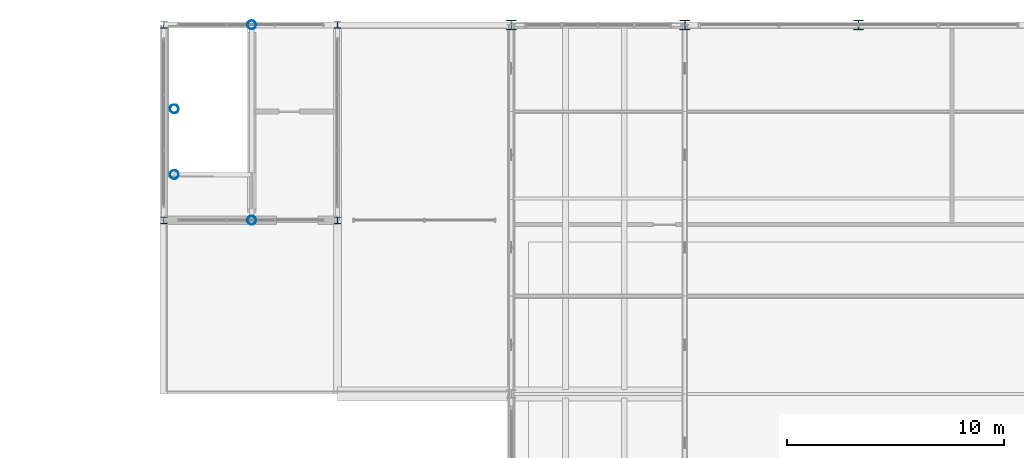
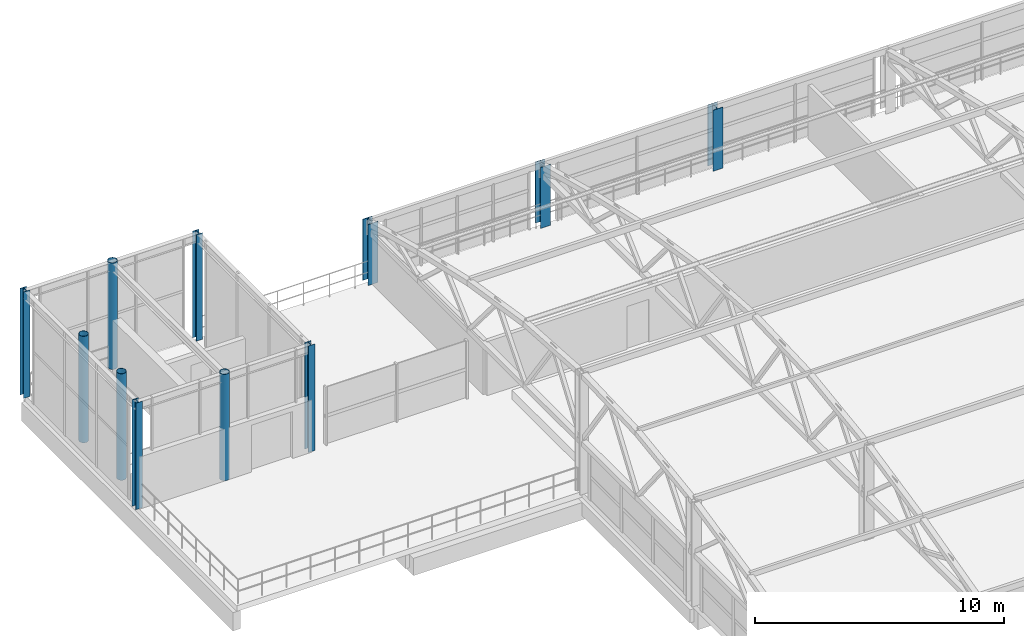
# One storey, part 3 of 50: 11 columns.
"""IFC4 building model written with IfcOpenShell, lengths in metres."""

from ifc_helpers import new_model, si_unit, derived_unit, direction, frame, origin, origin_2d, place, context, subcontext, project, spatial, hollow_circle, i_section, extrude, material, material_profile, profile_set, type_object, element, save


model = new_model("IFC4")

# Units and contexts
model_context = context("Model", 3, precision=1e-05, world=origin(), true_north=direction((0.0, 1.0)))
body_context = subcontext(model_context, "Body", "Model", "MODEL_VIEW")
ifc_project = project(units=[si_unit("LENGTHUNIT", "METRE"), si_unit("AREAUNIT", "SQUARE_METRE"), si_unit("VOLUMEUNIT", "CUBIC_METRE"), si_unit("PLANEANGLEUNIT", "RADIAN"), si_unit("MASSUNIT", "GRAM", prefix="KILO"), si_unit("THERMODYNAMICTEMPERATUREUNIT", "KELVIN"), derived_unit("THERMALTRANSMITTANCEUNIT", [(si_unit("POWERUNIT", "WATT"), 1), (si_unit("AREAUNIT", "SQUARE_METRE"), -1), (si_unit("THERMODYNAMICTEMPERATUREUNIT", "KELVIN"), -1)])], contexts=[model_context])

# Site, building, storey
site_placement = place(None, origin())
site = spatial("IfcSite", under=ifc_project, at=site_placement, CompositionType="ELEMENT")
building_placement = place(site_placement, origin())
building = spatial("IfcBuilding", under=site, at=building_placement, Name="Haiyu Intermodal Mobility Hub", CompositionType="ELEMENT")
storey_placement = place(building_placement, frame((0.0, 0.0, 25.10009765625)))
storey = spatial("IfcBuildingStorey", under=building, at=storey_placement, Name="L06", CompositionType="ELEMENT", Elevation=25.10009765625)

# Columns
ifc_material = material(Name="Steel Q355C", Category="steel")
ifc_material_profile_1 = material_profile(ifc_material, hollow_circle(Radius=0.202880859375, WallThickness=0.013916015625, at=origin_2d()), Name="CHS406x14")
ifc_profile_set_1 = profile_set([ifc_material_profile_1], Name="Steel Q355C")
column_type_1 = type_object("IfcColumnType", Name="COL-SC03", PredefinedType="COLUMN", material=ifc_profile_set_1)
for number, where, z_axis, x_axis, name in (
    (1, (26.050048828125, 139.0, 0.0), (0.0, 0.0, 1.0), (1.0, 0.0, 0.0), "Column C3-MS L06"),
    (2, (22.47998046875, 141.10009765625, 0.0), (0.0, 0.0, 1.0), (1.0, 0.0, 0.0), "Column C3-WTP L06"),
    (3, (22.47998046875, 144.1298828125, 0.0), (0.0, 0.0, 1.0), (1.0, 0.0, 0.0), "Column C3-WLP L06"),
):
    element("IfcColumn", number, at=place(storey_placement, frame(where, z_axis=z_axis, x_axis=x_axis)), inside=storey, type_object=column_type_1, Name=name, PredefinedType="COLUMN", context=body_context, shape_type="SweptSolid", body=[
        extrude(hollow_circle(Radius=0.202880859375, WallThickness=0.013916015625, at=origin_2d()), origin(), (0.0, 0.0, 1.0), 5.219970703125),
    ])
ifc_material_profile_2 = material_profile(ifc_material, hollow_circle(Radius=0.202880859375, WallThickness=0.013916015625, at=origin_2d()), Name="CHS406x14")
ifc_profile_set_2 = profile_set([ifc_material_profile_2], Name="Steel Q355C")
column_type_2 = type_object("IfcColumnType", Name="COL-SC03-EXT", PredefinedType="COLUMN", material=ifc_profile_set_2)
column_1_placement = place(storey_placement, frame((26.050048828125, 148.0, 0.0), z_axis=(0.0, 0.0, 1.0), x_axis=(1.0, 0.0, 0.0)))
element("IfcColumn", 4, at=column_1_placement, inside=storey, type_object=column_type_2, Name="Column C3-MN L06", PredefinedType="COLUMN", context=body_context, shape_type="SweptSolid", body=[
    extrude(hollow_circle(Radius=0.202880859375, WallThickness=0.013916015625, at=origin_2d()), origin(), (0.0, 0.0, 1.0), 5.219970703125),
])
ifc_material_profile_3 = material_profile(ifc_material, i_section(OverallWidth=0.449951171875, OverallDepth=0.449951171875, WebThickness=0.01611328125, FlangeThickness=0.02587890625, FilletRadius=0.02197265625, at=origin_2d()), Name="HW450x450x16x26")
ifc_profile_set_3 = profile_set([ifc_material_profile_3], Name="Steel Q355C")
column_type_3 = type_object("IfcColumnType", Name="COL-SC04-EXT", PredefinedType="COLUMN", material=ifc_profile_set_3)
for number, where, z_axis, x_axis, name in (
    (5, (38.0, 148.0, 0.0), (0.0, 0.0, 1.0), (1.0, 0.0, 0.0), "Column V4-4S L06"),
    (6, (46.0, 148.0, 0.0), (0.0, 0.0, 1.0), (1.0, 0.0, 0.0), "Column V4-5S L06"),
    (7, (54.0, 148.0, 0.0), (0.0, 0.0, 1.0), (1.0, 0.0, 0.0), "Column V4-6S L06"),
):
    element("IfcColumn", number, at=place(storey_placement, frame(where, z_axis=z_axis, x_axis=x_axis)), inside=storey, type_object=column_type_3, Name=name, PredefinedType="COLUMN", context=body_context, shape_type="SweptSolid", body=[
        extrude(i_section(OverallWidth=0.449951171875, OverallDepth=0.449951171875, WebThickness=0.01611328125, FlangeThickness=0.02587890625, FilletRadius=0.02197265625, at=origin_2d()), origin(), (0.0, 0.0, 1.0), 2.989990234375),
    ])
ifc_material_profile_4 = material_profile(ifc_material, i_section(OverallWidth=0.300048828125, OverallDepth=0.300048828125, WebThickness=0.010009765625, FlangeThickness=0.014892578125, FilletRadius=0.01806640625, at=origin_2d()), Name="HW300x300x10x15")
ifc_profile_set_4 = profile_set([ifc_material_profile_4], Name="Steel Q355C")
column_type_4 = type_object("IfcColumnType", Name="COL-SC07", PredefinedType="COLUMN", material=ifc_profile_set_4)
column_2_placement = place(storey_placement, frame((30.0, 139.0, 0.0), z_axis=(0.0, 0.0, 1.0), x_axis=(1.0, 0.0, 0.0)))
element("IfcColumn", 8, at=column_2_placement, inside=storey, type_object=column_type_4, Name="Column C3-SE L06", PredefinedType="COLUMN", context=body_context, shape_type="SweptSolid", body=[
    extrude(i_section(OverallWidth=0.300048828125, OverallDepth=0.300048828125, WebThickness=0.010009765625, FlangeThickness=0.014892578125, FilletRadius=0.01806640625, at=origin_2d()), origin(), (0.0, 0.0, 1.0), 5.219970703125),
])
ifc_material_profile_5 = material_profile(ifc_material, i_section(OverallWidth=0.300048828125, OverallDepth=0.300048828125, WebThickness=0.010009765625, FlangeThickness=0.014892578125, FilletRadius=0.01806640625, at=origin_2d()), Name="HW300x300x10x15")
ifc_profile_set_5 = profile_set([ifc_material_profile_5], Name="Steel Q355C")
column_type_5 = type_object("IfcColumnType", Name="COL-SC07-EXT", PredefinedType="COLUMN", material=ifc_profile_set_5)
for number, where, z_axis, x_axis, name in (
    (9, (22.0, 148.0, 0.0), (0.0, 0.0, 1.0), (1.0, 0.0, 0.0), "Column C3-NW L06"),
    (10, (30.0, 148.0, 0.0), (0.0, 0.0, 1.0), (1.0, 0.0, 0.0), "Column C3-NE L06"),
    (11, (22.0, 139.0, 0.0), (0.0, 0.0, 1.0), (1.0, 0.0, 0.0), "Column C3-SW L06"),
):
    element("IfcColumn", number, at=place(storey_placement, frame(where, z_axis=z_axis, x_axis=x_axis)), inside=storey, type_object=column_type_5, Name=name, PredefinedType="COLUMN", context=body_context, shape_type="SweptSolid", body=[
        extrude(i_section(OverallWidth=0.300048828125, OverallDepth=0.300048828125, WebThickness=0.010009765625, FlangeThickness=0.014892578125, FilletRadius=0.01806640625, at=origin_2d()), origin(), (0.0, 0.0, 1.0), 5.219970703125),
    ])

save(model, "model.ifc")
